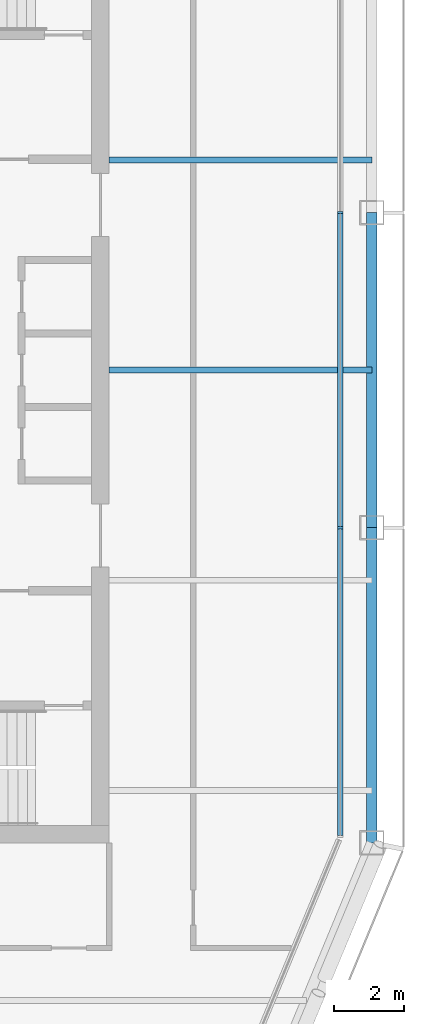
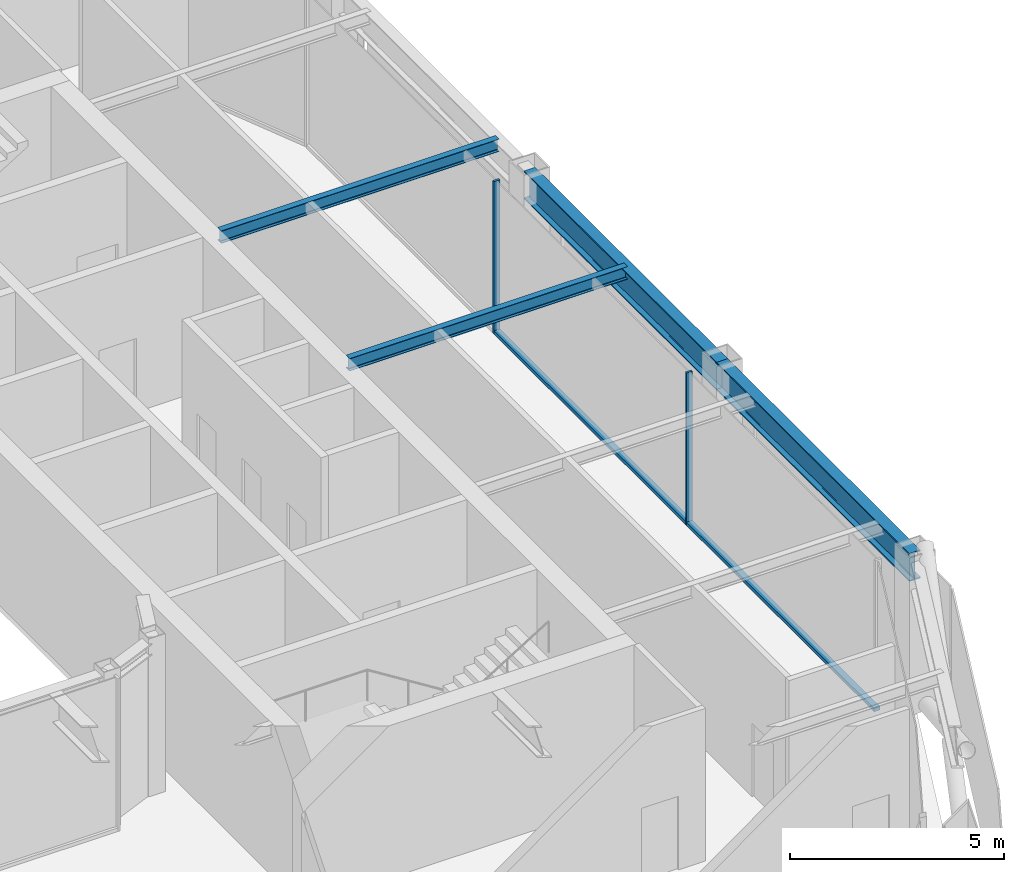
# One storey, part 6 of 18: 4 beams, 4 members, 1 element without a shape of its own.
"""IFC4 building model written with IfcOpenShell, lengths in metres."""

from ifc_helpers import new_model, si_unit, direction, frame, origin, origin_2d, place, context, subcontext, project, spatial, rectangle, i_section, extrude, material, layer, layer_set, material_profile, profile_set, type_object, element, aggregate, save


model = new_model("IFC4")

# Units and contexts
model_context = context("Model", 3, precision=1e-05, world=origin(), true_north=direction((0.0, 1.0)))
body_context = subcontext(model_context, "Body", "Model", "MODEL_VIEW")
ifc_project = project(units=[si_unit("LENGTHUNIT", "METRE"), si_unit("AREAUNIT", "SQUARE_METRE"), si_unit("VOLUMEUNIT", "CUBIC_METRE"), si_unit("PLANEANGLEUNIT", "RADIAN"), si_unit("MASSUNIT", "GRAM", prefix="KILO")], contexts=[model_context])

# Site, building, storey
site_placement = place(None, origin())
site = spatial("IfcSite", under=ifc_project, at=site_placement, CompositionType="ELEMENT")
building_placement = place(site_placement, origin())
building = spatial("IfcBuilding", under=site, at=building_placement, Name="Siwar Civic Tower", CompositionType="ELEMENT")
storey_placement = place(building_placement, frame((0.0, 0.0, 321.199951171875)))
storey = spatial("IfcBuildingStorey", under=building, at=storey_placement, Name="L69", CompositionType="ELEMENT", Elevation=321.199951171875)

# Curtain wall, members
ifc_material_1 = material(Name="Aluminium and glass", Category="aluminium")
ifc_layer = layer(ifc_material_1, 0.159912109375)
ifc_layer_set = layer_set([ifc_layer], Name="Aluminium and glass")
curtain_wall_type = type_object("IfcCurtainWallType", Name="ENV-CW-D", PredefinedType="NOTDEFINED", material=ifc_layer_set)
curtain_wall_placement = place(storey_placement, origin())
curtain_wall = element("IfcCurtainWall", 1, at=curtain_wall_placement, inside=storey, type_object=curtain_wall_type, Name="Curtain wall D E", PredefinedType="NOTDEFINED")
ifc_material_2 = material(Name="Aluminium 6063-T6", Category="aluminium")
ifc_material_profile_1 = material_profile(ifc_material_2, rectangle(XDim=0.159912109375, YDim=0.06005859375, at=origin_2d()), Name="AL 160x60")
ifc_profile_set_1 = profile_set([ifc_material_profile_1], Name="Aluminium 6063-T6")
member_type_1 = type_object("IfcMemberType", Name="ENV-MULLION-D", PredefinedType="MULLION", material=ifc_profile_set_1)
member_1_placement = place(storey_placement, frame((23.85009765625, -4.5, 0.0), z_axis=(0.0, 0.0, 1.0), x_axis=(-1.0, 0.0, 0.0)))
member_1 = element("IfcMember", 2, at=member_1_placement, type_object=member_type_1, Name="Mullion D E 2", PredefinedType="MULLION", context=body_context, shape_type="SweptSolid", body=[
    extrude(rectangle(XDim=0.159912109375, YDim=0.06005859375, at=origin_2d()), origin(), (0.0, 0.0, 1.0), 4.35009765625),
])
member_2_placement = place(storey_placement, frame((23.85009765625, 4.5, 0.0), z_axis=(0.0, 0.0, 1.0), x_axis=(-1.0, 0.0, 0.0)))
member_2 = element("IfcMember", 3, at=member_2_placement, type_object=member_type_1, Name="Mullion D E 3", PredefinedType="MULLION", context=body_context, shape_type="SweptSolid", body=[
    extrude(rectangle(XDim=0.159912109375, YDim=0.06005859375, at=origin_2d()), origin(), (0.0, 0.0, 1.0), 4.35009765625),
])
ifc_material_3 = material(Name="Aluminium 6063-T6", Category="aluminium")
ifc_material_profile_2 = material_profile(ifc_material_3, rectangle(XDim=0.159912109375, YDim=0.10009765625, at=origin_2d()), Name="AL 160x100")
ifc_profile_set_2 = profile_set([ifc_material_profile_2], Name="Aluminium 6063-T6")
member_type_2 = type_object("IfcMemberType", Name="ENV-TRANSOM-D", PredefinedType="USERDEFINED", material=ifc_profile_set_2)
member_3_placement = place(storey_placement, frame((23.85009765625, -13.291015625, 0.050048828125), z_axis=(0.0, 1.0, 0.0), x_axis=(-1.0, 0.0, 0.0)))
member_3 = element("IfcMember", 4, at=member_3_placement, type_object=member_type_2, Name="Transom D E 1", ObjectType="TRANSOM", PredefinedType="USERDEFINED", context=body_context, shape_type="SweptSolid", body=[
    extrude(rectangle(XDim=0.159912109375, YDim=0.10009765625, at=origin_2d()), origin(), (0.0, 0.0, 1.0), 8.760986328125),
])
member_4_placement = place(storey_placement, frame((23.85009765625, -4.469970703125, 0.050048828125), z_axis=(0.0, 1.0, 0.0), x_axis=(-1.0, 0.0, 0.0)))
member_4 = element("IfcMember", 5, at=member_4_placement, type_object=member_type_2, Name="Transom D E 2", ObjectType="TRANSOM", PredefinedType="USERDEFINED", context=body_context, shape_type="SweptSolid", body=[
    extrude(rectangle(XDim=0.159912109375, YDim=0.10009765625, at=origin_2d()), origin(), (0.0, 0.0, 1.0), 8.93994140625),
])
aggregate(curtain_wall, [member_1, member_2, member_3, member_4])

# Beams
ifc_material_4 = material(Name="Steel S355", Category="steel")
ifc_material_profile_3 = material_profile(ifc_material_4, i_section(OverallWidth=0.169921875, OverallDepth=0.360107421875, WebThickness=0.008056640625, FlangeThickness=0.0126953125, FilletRadius=0.01806640625, at=origin_2d()), Name="IPE360")
ifc_profile_set_3 = profile_set([ifc_material_profile_3], Name="Steel S355")
beam_type_1 = type_object("IfcBeamType", Name="STR-FB-IPE360", PredefinedType="JOIST", material=ifc_profile_set_3)
for number, where, z_axis, x_axis, name in (
    (6, (17.25, 0.0, 4.170166015625), (1.0, 0.0, 0.0), (0.0, 1.0, 0.0), "L69/bm/F019"),
    (7, (17.25, 6.0, 4.170166015625), (1.0, 0.0, 0.0), (0.0, 1.0, 0.0), "L69/bm/F021"),
):
    element("IfcBeam", number, at=place(storey_placement, frame(where, z_axis=z_axis, x_axis=x_axis)), inside=storey, type_object=beam_type_1, Name=name, PredefinedType="JOIST", context=body_context, shape_type="SweptSolid", body=[
        extrude(i_section(OverallWidth=0.169921875, OverallDepth=0.360107421875, WebThickness=0.008056640625, FlangeThickness=0.0126953125, FilletRadius=0.01806640625, at=origin_2d()), origin(), (0.0, 0.0, 1.0), 7.5),
    ])
ifc_material_5 = material(Name="Steel S355", Category="steel")
ifc_material_profile_4 = material_profile(ifc_material_5, i_section(OverallWidth=0.300048828125, OverallDepth=0.800048828125, WebThickness=0.017578125, FlangeThickness=0.032958984375, FilletRadius=0.030029296875, at=origin_2d()), Name="HEB800")
ifc_profile_set_4 = profile_set([ifc_material_profile_4], Name="Steel S355")
beam_type_2 = type_object("IfcBeamType", Name="STR-SB-HEB800", PredefinedType="BEAM", material=ifc_profile_set_4)
for number, where, z_axis, x_axis, name in (
    (8, (24.75, -13.5, 3.949951171875), (0.0, 1.0, 0.0), (-1.0, 0.0, 0.0), "L69/bm/SE-0"),
    (9, (24.75, -4.5, 3.949951171875), (0.0, 1.0, 0.0), (-1.0, 0.0, 0.0), "L69/bm/SE-1"),
):
    element("IfcBeam", number, at=place(storey_placement, frame(where, z_axis=z_axis, x_axis=x_axis)), inside=storey, type_object=beam_type_2, Name=name, PredefinedType="BEAM", context=body_context, shape_type="SweptSolid", body=[
        extrude(i_section(OverallWidth=0.300048828125, OverallDepth=0.800048828125, WebThickness=0.017578125, FlangeThickness=0.032958984375, FilletRadius=0.030029296875, at=origin_2d()), origin(), (0.0, 0.0, 1.0), 9.0),
    ])

save(model, "model.ifc")
